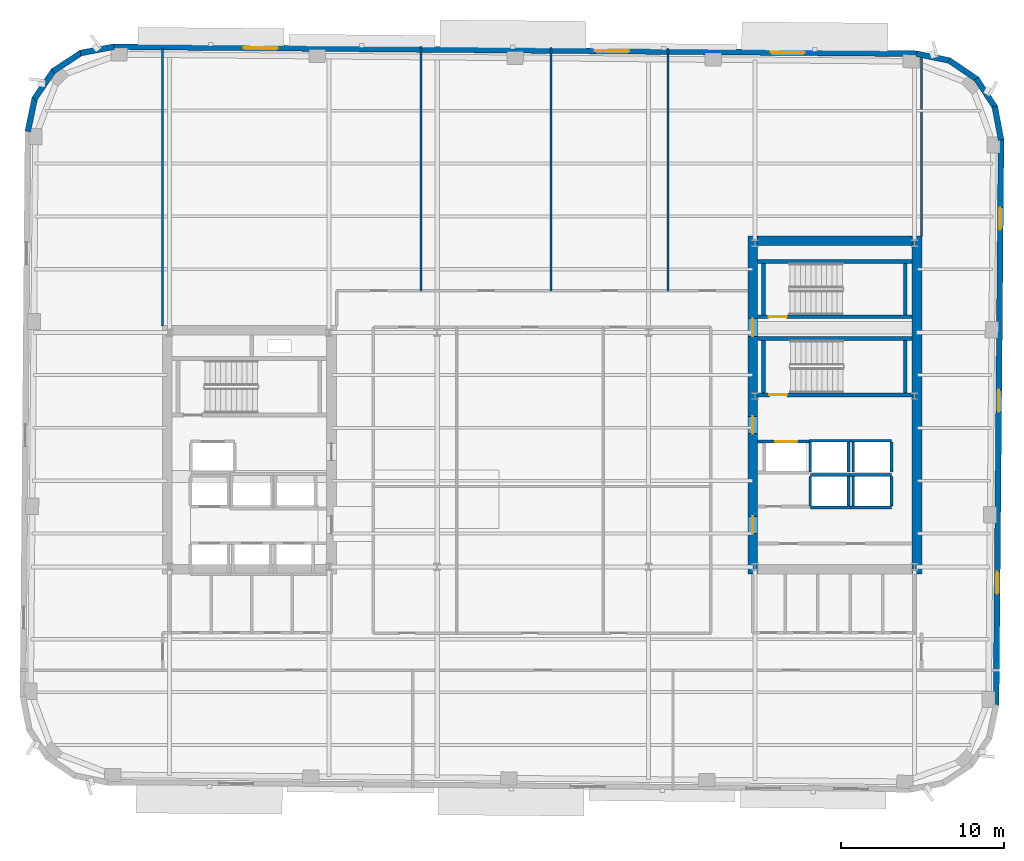
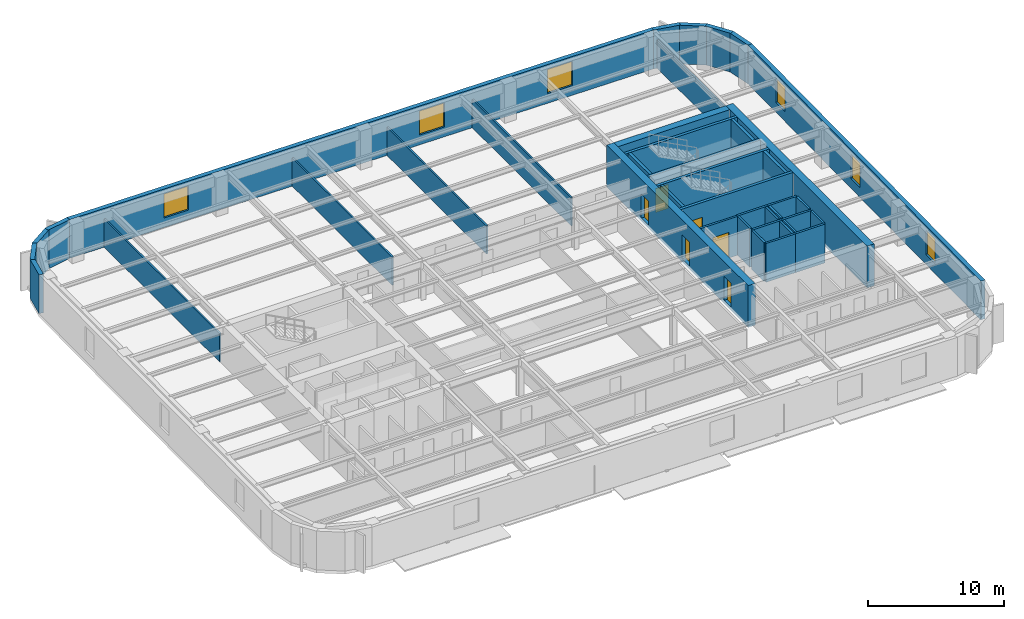
# One storey, part 6 of 12: 41 walls, 6 doors, 6 windows, 12 openings.
"""IFC4 building model written with IfcOpenShell, lengths in metres."""

from ifc_helpers import new_model, si_unit, direction, frame, frame_2d, origin, place, context, subcontext, project, spatial, rectangle, extrude, material, layer, layer_set, type_object, element, fill, save


model = new_model("IFC4")

# Units and contexts
model_context = context("Model", 3, precision=1e-05, world=origin(), true_north=direction((0.0, 1.0)))
body_context = subcontext(model_context, "Body", "Model", "MODEL_VIEW")
ifc_project = project(units=[si_unit("LENGTHUNIT", "METRE"), si_unit("AREAUNIT", "SQUARE_METRE"), si_unit("VOLUMEUNIT", "CUBIC_METRE"), si_unit("PLANEANGLEUNIT", "RADIAN"), si_unit("MASSUNIT", "GRAM", prefix="KILO")], contexts=[model_context])

# Site, building, storey
site_placement = place(None, origin())
site = spatial("IfcSite", under=ifc_project, at=site_placement, CompositionType="ELEMENT")
building_placement = place(site_placement, origin())
building = spatial("IfcBuilding", under=site, at=building_placement, Name="Kolvaren Arena Tower", CompositionType="ELEMENT")
storey_placement = place(building_placement, frame((0.0, 0.0, 188.449951171875)))
storey = spatial("IfcBuildingStorey", under=building, at=storey_placement, Name="L45", CompositionType="ELEMENT", Elevation=188.449951171875)

# Wall, openings, doors
ifc_material_1 = material(Name="Concrete 60 MPa", Category="concrete")
ifc_layer_1 = layer(ifc_material_1, 0.60009765625)
ifc_layer_set_1 = layer_set([ifc_layer_1], Name="Concrete 60 MPa")
wall_type_1 = type_object("IfcWallType", Name="CWALL-600", PredefinedType="SHEAR", material=ifc_layer_set_1)
wall_1_placement = place(storey_placement, frame((50.39990234375, 19.0, -0.27001953125), z_axis=(0.0, 0.0, 1.0), x_axis=(0.0, 1.0, 0.0)))
wall_1 = element("IfcWall", 1, at=wall_1_placement, inside=storey, type_object=wall_type_1, Name="Core Shear Wall EC-WEST (L45)", PredefinedType="SHEAR", context=body_context, shape_type="SweptSolid", body=[
    extrude(rectangle(XDim=20.800048828125, YDim=0.60009765625, at=frame_2d((10.39990234375, 0.0))), origin(), (0.0, 0.0, 1.0), 3.75),
])
opening_1_placement = place(wall_1_placement, frame((2.5, 0.0, 0.27001953125)))
opening_1 = element("IfcOpeningElement", 2, at=opening_1_placement, cuts=wall_1, Name="Opening D04", PredefinedType="OPENING", context=body_context, shape_type="SweptSolid", body=[
    extrude(rectangle(XDim=1.050048828125, YDim=2.14990234375, at=frame_2d((0.52490234375, 1.074951171875))), frame((0.0, 0.31005859375, 0.0), z_axis=(0.0, -1.0, 0.0), x_axis=(1.0, 0.0, 0.0)), (0.0, 0.0, 1.0), 0.6201171875),
])
opening_2_placement = place(wall_1_placement, frame((8.64990234375, 0.0, 0.27001953125)))
opening_2 = element("IfcOpeningElement", 3, at=opening_2_placement, cuts=wall_1, Name="Opening D04", PredefinedType="OPENING", context=body_context, shape_type="SweptSolid", body=[
    extrude(rectangle(XDim=1.050048828125, YDim=2.14990234375, at=frame_2d((0.52490234375, 1.074951171875))), frame((0.0, 0.31005859375, 0.0), z_axis=(0.0, -1.0, 0.0), x_axis=(1.0, 0.0, 0.0)), (0.0, 0.0, 1.0), 0.6201171875),
])
opening_3_placement = place(wall_1_placement, frame((14.6201171875, 0.0, 0.27001953125)))
opening_3 = element("IfcOpeningElement", 4, at=opening_3_placement, cuts=wall_1, Name="Opening D03", PredefinedType="OPENING", context=body_context, shape_type="SweptSolid", body=[
    extrude(rectangle(XDim=1.10009765625, YDim=2.14990234375, at=frame_2d((0.550048828125, 1.074951171875))), frame((0.0, 0.31005859375, 0.0), z_axis=(0.0, -1.0, 0.0), x_axis=(1.0, 0.0, 0.0)), (0.0, 0.0, 1.0), 0.6201171875),
])
ifc_material_2 = material(Name="Fire-rated steel lobby door", Category="steel")
door_type_1 = type_object("IfcDoorType", Name="DOOR-FF-105", OperationType="NOTDEFINED", PredefinedType="DOOR", material=ifc_material_2)
door_1_placement = place(opening_1_placement, origin())
door_1 = element("IfcDoor", 5, at=door_1_placement, inside=storey, type_object=door_type_1, Name="East Lift Lobby Fire Door (L45)", OperationType="SINGLE_SWING_RIGHT", OverallHeight=2.14990234375, OverallWidth=1.050048828125, PredefinedType="DOOR", context=body_context, shape_type="SweptSolid", body=[
    extrude(rectangle(XDim=1.050048828125, YDim=2.14990234375, at=frame_2d((0.52490234375, 1.074951171875))), frame((0.0, 0.02490234375, 0.0), z_axis=(0.0, -1.0, 0.0), x_axis=(1.0, 0.0, 0.0)), (0.0, 0.0, 1.0), 0.050048828125),
])
fill(opening_1, door_1)
door_2_placement = place(opening_2_placement, origin())
door_2 = element("IfcDoor", 6, at=door_2_placement, inside=storey, type_object=door_type_1, Name="East Firefighter Vestibule Door (L45)", OperationType="SINGLE_SWING_LEFT", OverallHeight=2.14990234375, OverallWidth=1.050048828125, PredefinedType="DOOR", context=body_context, shape_type="SweptSolid", body=[
    extrude(rectangle(XDim=1.050048828125, YDim=2.14990234375, at=frame_2d((0.52490234375, 1.074951171875))), frame((0.0, 0.02490234375, 0.0), z_axis=(0.0, -1.0, 0.0), x_axis=(1.0, 0.0, 0.0)), (0.0, 0.0, 1.0), 0.050048828125),
])
fill(opening_2, door_2)
ifc_material_3 = material(Name="Fire-rated steel exit stair door", Category="steel")
door_type_2 = type_object("IfcDoorType", Name="DOOR-ST-110", OperationType="NOTDEFINED", PredefinedType="DOOR", material=ifc_material_3)
door_3_placement = place(opening_3_placement, origin())
door_3 = element("IfcDoor", 7, at=door_3_placement, inside=storey, type_object=door_type_2, Name="Stair ST-E2 Vestibule Fire Door (L45)", OperationType="SINGLE_SWING_LEFT", OverallHeight=2.14990234375, OverallWidth=1.10009765625, PredefinedType="DOOR", context=body_context, shape_type="SweptSolid", body=[
    extrude(rectangle(XDim=1.10009765625, YDim=2.14990234375, at=frame_2d((0.550048828125, 1.074951171875))), frame((0.0, 0.02490234375, 0.0), z_axis=(0.0, -1.0, 0.0), x_axis=(1.0, 0.0, 0.0)), (0.0, 0.0, 1.0), 0.050048828125),
])
fill(opening_3, door_3)

# Walls
wall_2_placement = place(storey_placement, frame((60.5, 19.0, -0.27001953125), z_axis=(0.0, 0.0, 1.0), x_axis=(0.0, 1.0, 0.0)))
element("IfcWall", 8, at=wall_2_placement, inside=storey, type_object=wall_type_1, Name="Core Shear Wall EC-EAST (L45)", PredefinedType="SHEAR", context=body_context, shape_type="SweptSolid", body=[
    extrude(rectangle(XDim=20.800048828125, YDim=0.60009765625, at=frame_2d((10.39990234375, 0.0))), origin(), (0.0, 0.0, 1.0), 3.75),
])
wall_3_placement = place(storey_placement, frame((50.699951171875, 39.5, -0.27001953125), z_axis=(0.0, 0.0, 1.0), x_axis=(1.0, 0.0, 0.0)))
element("IfcWall", 9, at=wall_3_placement, inside=storey, type_object=wall_type_1, Name="Core Shear Wall EC-NORTH (L45)", PredefinedType="SHEAR", context=body_context, shape_type="SweptSolid", body=[
    extrude(rectangle(XDim=9.5, YDim=0.60009765625, at=frame_2d((4.75, 0.0))), origin(), (0.0, 0.0, 1.0), 3.75),
])

# Wall, openings, windows
ifc_material_4 = material(Name="Precast concrete C50/60", Category="concrete")
ifc_layer_2 = layer(ifc_material_4, 0.360107421875)
ifc_layer_set_2 = layer_set([ifc_layer_2], Name="Precast concrete C50/60")
wall_type_2 = type_object("IfcWallType", Name="EXT-PIER2", PredefinedType="SOLIDWALL", material=ifc_layer_set_2)
wall_4_placement = place(storey_placement, frame((65.670654296875, 45.73828125, 0.0), z_axis=(0.0, 0.0, 1.0), x_axis=(-0.008727348535, -0.999961915969, 0.0)))
wall_4 = element("IfcWall", 10, at=wall_4_placement, inside=storey, type_object=wall_type_2, Name="Exterior Precast Masonry-Frame Wall (L45)", PredefinedType="SOLIDWALL", context=body_context, shape_type="SweptSolid", body=[
    extrude(rectangle(XDim=34.7998046875, YDim=0.360107421875, at=frame_2d((17.39990234375, 0.0))), origin(), (0.0, 0.0, 1.0), 3.47998046875),
])
opening_4_placement = place(wall_4_placement, frame((4.199951171875, 0.0, 0.8798828125)))
opening_4 = element("IfcOpeningElement", 11, at=opening_4_placement, cuts=wall_4, Name="Opening W04", PredefinedType="OPENING", context=body_context, shape_type="SweptSolid", body=[
    extrude(rectangle(XDim=1.35009765625, YDim=2.199951171875, at=frame_2d((0.675048828125, 1.10009765625))), frame((0.0, 0.18994140625, 0.0), z_axis=(0.0, -1.0, 0.0), x_axis=(1.0, 0.0, 0.0)), (0.0, 0.0, 1.0), 0.380126953125),
])
opening_5_placement = place(wall_4_placement, frame((15.39990234375, 0.0, 0.8798828125)))
opening_5 = element("IfcOpeningElement", 12, at=opening_5_placement, cuts=wall_4, Name="Opening W04", PredefinedType="OPENING", context=body_context, shape_type="SweptSolid", body=[
    extrude(rectangle(XDim=1.35009765625, YDim=2.199951171875, at=frame_2d((0.675048828125, 1.10009765625))), frame((0.0, 0.18994140625, 0.0), z_axis=(0.0, -1.0, 0.0), x_axis=(1.0, 0.0, 0.0)), (0.0, 0.0, 1.0), 0.380126953125),
])
opening_6_placement = place(wall_4_placement, frame((26.60009765625, 0.0, 0.8798828125)))
opening_6 = element("IfcOpeningElement", 13, at=opening_6_placement, cuts=wall_4, Name="Opening W04", PredefinedType="OPENING", context=body_context, shape_type="SweptSolid", body=[
    extrude(rectangle(XDim=1.35009765625, YDim=2.199951171875, at=frame_2d((0.675048828125, 1.10009765625))), frame((0.0, 0.18994140625, 0.0), z_axis=(0.0, -1.0, 0.0), x_axis=(1.0, 0.0, 0.0)), (0.0, 0.0, 1.0), 0.380126953125),
])
ifc_material_5 = material(Name="Triple-glazed curved-facet corner window", Category="glass")
window_type_1 = type_object("IfcWindowType", Name="WIN-CRN-A", PartitioningType="SINGLE_PANEL", PredefinedType="WINDOW", material=ifc_material_5)
window_1_placement = place(opening_4_placement, origin())
window_1 = element("IfcWindow", 14, at=window_1_placement, inside=storey, type_object=window_type_1, Name="End-Wall Punched Window (L45)", OverallHeight=2.199951171875, OverallWidth=1.35009765625, PartitioningType="SINGLE_PANEL", PredefinedType="WINDOW", context=body_context, shape_type="SweptSolid", body=[
    extrude(rectangle(XDim=1.35009765625, YDim=2.199951171875, at=frame_2d((0.675048828125, 1.10009765625))), frame((0.0, 0.030029296875, 0.0), z_axis=(0.0, -1.0, 0.0), x_axis=(1.0, 0.0, 0.0)), (0.0, 0.0, 1.0), 0.06005859375),
])
fill(opening_4, window_1)
window_2_placement = place(opening_5_placement, origin())
window_2 = element("IfcWindow", 15, at=window_2_placement, inside=storey, type_object=window_type_1, Name="End-Wall Punched Window (L45)", OverallHeight=2.199951171875, OverallWidth=1.35009765625, PartitioningType="SINGLE_PANEL", PredefinedType="WINDOW", context=body_context, shape_type="SweptSolid", body=[
    extrude(rectangle(XDim=1.35009765625, YDim=2.199951171875, at=frame_2d((0.675048828125, 1.10009765625))), frame((0.0, 0.030029296875, 0.0), z_axis=(0.0, -1.0, 0.0), x_axis=(1.0, 0.0, 0.0)), (0.0, 0.0, 1.0), 0.06005859375),
])
fill(opening_5, window_2)
window_3_placement = place(opening_6_placement, origin())
window_3 = element("IfcWindow", 16, at=window_3_placement, inside=storey, type_object=window_type_1, Name="End-Wall Punched Window (L45)", OverallHeight=2.199951171875, OverallWidth=1.35009765625, PartitioningType="SINGLE_PANEL", PredefinedType="WINDOW", context=body_context, shape_type="SweptSolid", body=[
    extrude(rectangle(XDim=1.35009765625, YDim=2.199951171875, at=frame_2d((0.675048828125, 1.10009765625))), frame((0.0, 0.030029296875, 0.0), z_axis=(0.0, -1.0, 0.0), x_axis=(1.0, 0.0, 0.0)), (0.0, 0.0, 1.0), 0.06005859375),
])
fill(opening_6, window_3)

# Walls
wall_5_placement = place(storey_placement, frame((65.281005859375, 47.773193359375, 0.0), z_axis=(0.0, 0.0, 1.0), x_axis=(0.186435855703, -0.98246713518, 0.0)))
element("IfcWall", 17, at=wall_5_placement, inside=storey, type_object=wall_type_2, Name="Exterior Precast Masonry-Frame Wall (L45)", PredefinedType="SOLIDWALL", context=body_context, shape_type="SweptSolid", body=[
    extrude(rectangle(XDim=2.10693359375, YDim=0.360107421875, at=frame_2d((1.053466796875, 0.0))), origin(), (0.0, 0.0, 1.0), 3.47998046875),
])
wall_6_placement = place(storey_placement, frame((64.152099609375, 49.469970703125, 0.0), z_axis=(0.0, 0.0, 1.0), x_axis=(0.548238722478, -0.83632188969, 0.0)))
element("IfcWall", 18, at=wall_6_placement, inside=storey, type_object=wall_type_2, Name="Exterior Precast Masonry-Frame Wall (L45)", PredefinedType="SOLIDWALL", context=body_context, shape_type="SweptSolid", body=[
    extrude(rectangle(XDim=2.106689453125, YDim=0.360107421875, at=frame_2d((1.05322265625, 0.0))), origin(), (0.0, 0.0, 1.0), 3.47998046875),
])
wall_7_placement = place(storey_placement, frame((62.45947265625, 50.605712890625, 0.0), z_axis=(0.0, 0.0, 1.0), x_axis=(0.826609569219, -0.56277581689, 0.0)))
element("IfcWall", 19, at=wall_7_placement, inside=storey, type_object=wall_type_2, Name="Exterior Precast Masonry-Frame Wall (L45)", PredefinedType="SOLIDWALL", context=body_context, shape_type="SweptSolid", body=[
    extrude(rectangle(XDim=2.10693359375, YDim=0.360107421875, at=frame_2d((1.053466796875, 0.0))), origin(), (0.0, 0.0, 1.0), 3.47998046875),
])
wall_8_placement = place(storey_placement, frame((60.461181640625, 51.00732421875, 0.0), z_axis=(0.0, 0.0, 1.0), x_axis=(0.979059388908, -0.203574833883, 0.0)))
element("IfcWall", 20, at=wall_8_placement, inside=storey, type_object=wall_type_2, Name="Exterior Precast Masonry-Frame Wall (L45)", PredefinedType="SOLIDWALL", context=body_context, shape_type="SweptSolid", body=[
    extrude(rectangle(XDim=2.107177734375, YDim=0.360107421875, at=frame_2d((1.0537109375, 0.0))), origin(), (0.0, 0.0, 1.0), 3.47998046875),
])

# Wall, openings, windows
wall_9_placement = place(storey_placement, frame((11.098388671875, 51.434814453125, 0.0), z_axis=(0.0, 0.0, 1.0), x_axis=(0.99996191194, -0.008727810138, 0.0)))
wall_9 = element("IfcWall", 21, at=wall_9_placement, inside=storey, type_object=wall_type_2, Name="Exterior Precast Masonry-Frame Wall (L45)", PredefinedType="SOLIDWALL", context=body_context, shape_type="SweptSolid", body=[
    extrude(rectangle(XDim=49.39990234375, YDim=0.360107421875, at=frame_2d((24.699951171875, 0.0))), origin(), (0.0, 0.0, 1.0), 3.47998046875),
])
opening_7_placement = place(wall_9_placement, frame((8.0, 0.0, 0.8798828125)))
opening_7 = element("IfcOpeningElement", 22, at=opening_7_placement, cuts=wall_9, Name="Opening W01", PredefinedType="OPENING", context=body_context, shape_type="SweptSolid", body=[
    extrude(rectangle(XDim=2.10009765625, YDim=2.14990234375, at=frame_2d((1.050048828125, 1.074951171875))), frame((0.0, 0.18994140625, 0.0), z_axis=(0.0, -1.0, 0.0), x_axis=(1.0, 0.0, 0.0)), (0.0, 0.0, 1.0), 0.380126953125),
])
opening_8_placement = place(wall_9_placement, frame((29.60009765625, 0.0, 0.8798828125)))
opening_8 = element("IfcOpeningElement", 23, at=opening_8_placement, cuts=wall_9, Name="Opening W01", PredefinedType="OPENING", context=body_context, shape_type="SweptSolid", body=[
    extrude(rectangle(XDim=2.10009765625, YDim=2.14990234375, at=frame_2d((1.050048828125, 1.074951171875))), frame((0.0, 0.18994140625, 0.0), z_axis=(0.0, -1.0, 0.0), x_axis=(1.0, 0.0, 0.0)), (0.0, 0.0, 1.0), 0.380126953125),
])
opening_9_placement = place(wall_9_placement, frame((40.39990234375, 0.0, 0.8798828125)))
opening_9 = element("IfcOpeningElement", 24, at=opening_9_placement, cuts=wall_9, Name="Opening W01", PredefinedType="OPENING", context=body_context, shape_type="SweptSolid", body=[
    extrude(rectangle(XDim=2.10009765625, YDim=2.14990234375, at=frame_2d((1.050048828125, 1.074951171875))), frame((0.0, 0.18994140625, 0.0), z_axis=(0.0, -1.0, 0.0), x_axis=(1.0, 0.0, 0.0)), (0.0, 0.0, 1.0), 0.380126953125),
])
ifc_material_6 = material(Name="Triple-glazed low-E aluminium window", Category="aluminium")
window_type_2 = type_object("IfcWindowType", Name="WIN-OFF-A", PartitioningType="DOUBLE_PANEL_VERTICAL", PredefinedType="WINDOW", material=ifc_material_6)
window_4_placement = place(opening_7_placement, origin())
window_4 = element("IfcWindow", 25, at=window_4_placement, inside=storey, type_object=window_type_2, Name="Punched Precast-Pier Window (L45)", OverallHeight=2.14990234375, OverallWidth=2.10009765625, PartitioningType="DOUBLE_PANEL_VERTICAL", PredefinedType="WINDOW", context=body_context, shape_type="SweptSolid", body=[
    extrude(rectangle(XDim=2.10009765625, YDim=2.14990234375, at=frame_2d((1.050048828125, 1.074951171875))), frame((0.0, 0.030029296875, 0.0), z_axis=(0.0, -1.0, 0.0), x_axis=(1.0, 0.0, 0.0)), (0.0, 0.0, 1.0), 0.06005859375),
])
fill(opening_7, window_4)
window_5_placement = place(opening_8_placement, origin())
window_5 = element("IfcWindow", 26, at=window_5_placement, inside=storey, type_object=window_type_2, Name="Punched Precast-Pier Window (L45)", OverallHeight=2.14990234375, OverallWidth=2.10009765625, PartitioningType="DOUBLE_PANEL_VERTICAL", PredefinedType="WINDOW", context=body_context, shape_type="SweptSolid", body=[
    extrude(rectangle(XDim=2.10009765625, YDim=2.14990234375, at=frame_2d((1.050048828125, 1.074951171875))), frame((0.0, 0.030029296875, 0.0), z_axis=(0.0, -1.0, 0.0), x_axis=(1.0, 0.0, 0.0)), (0.0, 0.0, 1.0), 0.06005859375),
])
fill(opening_8, window_5)
window_6_placement = place(opening_9_placement, origin())
window_6 = element("IfcWindow", 27, at=window_6_placement, inside=storey, type_object=window_type_2, Name="Punched Precast-Pier Window (L45)", OverallHeight=2.14990234375, OverallWidth=2.10009765625, PartitioningType="DOUBLE_PANEL_VERTICAL", PredefinedType="WINDOW", context=body_context, shape_type="SweptSolid", body=[
    extrude(rectangle(XDim=2.10009765625, YDim=2.14990234375, at=frame_2d((1.050048828125, 1.074951171875))), frame((0.0, 0.030029296875, 0.0), z_axis=(0.0, -1.0, 0.0), x_axis=(1.0, 0.0, 0.0)), (0.0, 0.0, 1.0), 0.06005859375),
])
fill(opening_9, window_6)

# Walls
wall_10_placement = place(storey_placement, frame((9.0634765625, 51.044921875, 0.0), z_axis=(0.0, 0.0, 1.0), x_axis=(0.982445905584, 0.186547695246, 0.0)))
element("IfcWall", 28, at=wall_10_placement, inside=storey, type_object=wall_type_2, Name="Exterior Precast Masonry-Frame Wall (L45)", PredefinedType="SOLIDWALL", context=body_context, shape_type="SweptSolid", body=[
    extrude(rectangle(XDim=2.107177734375, YDim=0.360107421875, at=frame_2d((1.0537109375, 0.0))), origin(), (0.0, 0.0, 1.0), 3.47998046875),
])
for number, where, z_axis, x_axis, name in (
    (29, (7.36669921875, 49.916015625, 0.0), (0.0, 0.0, 1.0), (0.836268756678, 0.548319766745, 0.0), "Exterior Precast Masonry-Frame Wall (L45)"),
    (30, (6.23095703125, 48.223388671875, 0.0), (0.0, 0.0, 1.0), (0.56277581689, 0.826609569219, 0.0), "Exterior Precast Masonry-Frame Wall (L45)"),
    (31, (5.8291015625, 46.225341796875, 0.0), (0.0, 0.0, 1.0), (0.203709000552, 0.979031482177, 0.0), "Exterior Precast Masonry-Frame Wall (L45)"),
):
    element("IfcWall", number, at=place(storey_placement, frame(where, z_axis=z_axis, x_axis=x_axis)), inside=storey, type_object=wall_type_2, Name=name, PredefinedType="SOLIDWALL", context=body_context, shape_type="SweptSolid", body=[
        extrude(rectangle(XDim=2.10693359375, YDim=0.360107421875, at=frame_2d((1.053466796875, 0.0))), origin(), (0.0, 0.0, 1.0), 3.47998046875),
    ])
ifc_material_7 = material(Name="Gypsum board partition assembly", Category="gypsum")
ifc_layer_3 = layer(ifc_material_7, 0.135009765625)
ifc_layer_set_3 = layer_set([ifc_layer_3], Name="Gypsum board partition assembly")
wall_type_3 = type_object("IfcWallType", Name="PART-135", PredefinedType="PARTITIONING", material=ifc_layer_set_3)
wall_11_placement = place(storey_placement, frame((30.0, 36.419921875, 0.0), z_axis=(0.0, 0.0, 1.0), x_axis=(0.0, 1.0, 0.0)))
element("IfcWall", 32, at=wall_11_placement, inside=storey, type_object=wall_type_3, Name="Interior Partition Wall (L45)", PredefinedType="PARTITIONING", context=body_context, shape_type="SweptSolid", body=[
    extrude(rectangle(XDim=15.02978515625, YDim=0.135009765625, at=frame_2d((7.514892578125, 0.0))), origin(), (0.0, 0.0, 1.0), 2.5400390625),
])
wall_12_placement = place(storey_placement, frame((38.0, 36.419921875, 0.0), z_axis=(0.0, 0.0, 1.0), x_axis=(0.0, 1.0, 0.0)))
element("IfcWall", 33, at=wall_12_placement, inside=storey, type_object=wall_type_3, Name="Interior Partition Wall (L45)", PredefinedType="PARTITIONING", context=body_context, shape_type="SweptSolid", body=[
    extrude(rectangle(XDim=14.9599609375, YDim=0.135009765625, at=frame_2d((7.47998046875, 0.0))), origin(), (0.0, 0.0, 1.0), 2.5400390625),
])
wall_13_placement = place(storey_placement, frame((45.199951171875, 36.419921875, 0.0), z_axis=(0.0, 0.0, 1.0), x_axis=(0.0, 1.0, 0.0)))
element("IfcWall", 34, at=wall_13_placement, inside=storey, type_object=wall_type_3, Name="Interior Partition Wall (L45)", PredefinedType="PARTITIONING", context=body_context, shape_type="SweptSolid", body=[
    extrude(rectangle(XDim=14.897216796875, YDim=0.135009765625, at=frame_2d((7.44873046875, 0.0))), origin(), (0.0, 0.0, 1.0), 2.5400390625),
])
wall_14_placement = place(storey_placement, frame((14.1201171875, 34.25, 0.0), z_axis=(0.0, 0.0, 1.0), x_axis=(0.0, 1.0, 0.0)))
element("IfcWall", 35, at=wall_14_placement, inside=storey, type_object=wall_type_3, Name="Interior Partition Wall (L45)", PredefinedType="PARTITIONING", context=body_context, shape_type="SweptSolid", body=[
    extrude(rectangle(XDim=17.098388671875, YDim=0.135009765625, at=frame_2d((8.54931640625, 0.0))), origin(), (0.0, 0.0, 1.0), 2.5400390625),
])
wall_15_placement = place(storey_placement, frame((60.780029296875, 39.75, 0.0), z_axis=(0.0, 0.0, 1.0), x_axis=(0.0, 1.0, 0.0)))
element("IfcWall", 36, at=wall_15_placement, inside=storey, type_object=wall_type_3, Name="Interior Partition Wall (L45)", PredefinedType="PARTITIONING", context=body_context, shape_type="SweptSolid", body=[
    extrude(rectangle(XDim=11.1298828125, YDim=0.135009765625, at=frame_2d((5.56494140625, 0.0))), origin(), (0.0, 0.0, 1.0), 2.5400390625),
])

# Wall, opening, door
ifc_material_8 = material(Name="Concrete 45 MPa", Category="concrete")
ifc_layer_4 = layer(ifc_material_8, 0.25)
ifc_layer_set_4 = layer_set([ifc_layer_4], Name="Concrete 45 MPa")
wall_type_4 = type_object("IfcWallType", Name="SHAFT-250", PredefinedType="SOLIDWALL", material=ifc_layer_set_4)
wall_16_placement = place(storey_placement, frame((60.199951171875, 30.030029296875, 0.0), z_axis=(0.0, 0.0, 1.0), x_axis=(-1.0, 0.0, 0.0)))
wall_16 = element("IfcWall", 37, at=wall_16_placement, inside=storey, type_object=wall_type_4, Name="Core Shaft Wall (L45)", PredefinedType="SOLIDWALL", context=body_context, shape_type="SweptSolid", body=[
    extrude(rectangle(XDim=9.5, YDim=0.239990234375, at=frame_2d((4.75, 0.0))), origin(), (0.0, 0.0, 1.0), 3.47998046875),
])
opening_10_placement = place(wall_16_placement, frame((7.679931640625, 0.0, 0.0)))
opening_10 = element("IfcOpeningElement", 38, at=opening_10_placement, cuts=wall_16, Name="Opening D03", PredefinedType="OPENING", context=body_context, shape_type="SweptSolid", body=[
    extrude(rectangle(XDim=1.10009765625, YDim=2.14990234375, at=frame_2d((0.550048828125, 1.074951171875))), frame((0.0, 0.1298828125, 0.0), z_axis=(0.0, -1.0, 0.0), x_axis=(1.0, 0.0, 0.0)), (0.0, 0.0, 1.0), 0.260009765625),
])
door_4_placement = place(opening_10_placement, origin())
door_4 = element("IfcDoor", 39, at=door_4_placement, inside=storey, type_object=door_type_2, Name="Stair ST-E1 Fire Door (L45)", OperationType="SINGLE_SWING_LEFT", OverallHeight=2.14990234375, OverallWidth=1.10009765625, PredefinedType="DOOR", context=body_context, shape_type="SweptSolid", body=[
    extrude(rectangle(XDim=1.10009765625, YDim=2.14990234375, at=frame_2d((0.550048828125, 1.074951171875))), frame((0.0, 0.02490234375, 0.0), z_axis=(0.0, -1.0, 0.0), x_axis=(1.0, 0.0, 0.0)), (0.0, 0.0, 1.0), 0.050048828125),
])
fill(opening_10, door_4)

# Walls
wall_17_placement = place(storey_placement, frame((50.699951171875, 33.5, 0.0), z_axis=(0.0, 0.0, 1.0), x_axis=(1.0, 0.0, 0.0)))
element("IfcWall", 40, at=wall_17_placement, inside=storey, type_object=wall_type_4, Name="Core Shaft Wall (L45)", PredefinedType="SOLIDWALL", context=body_context, shape_type="SweptSolid", body=[
    extrude(rectangle(XDim=9.5, YDim=0.239990234375, at=frame_2d((4.75, 0.0))), origin(), (0.0, 0.0, 1.0), 3.47998046875),
])
for number, where, z_axis, x_axis, name in (
    (41, (51.06005859375, 30.14990234375, 0.0), (0.0, 0.0, 1.0), (0.0, 1.0, 0.0), "Core Shaft Wall (L45)"),
    (42, (59.780029296875, 30.14990234375, 0.0), (0.0, 0.0, 1.0), (0.0, 1.0, 0.0), "Core Shaft Wall (L45)"),
):
    element("IfcWall", number, at=place(storey_placement, frame(where, z_axis=z_axis, x_axis=x_axis)), inside=storey, type_object=wall_type_4, Name=name, PredefinedType="SOLIDWALL", context=body_context, shape_type="SweptSolid", body=[
        extrude(rectangle(XDim=3.22998046875, YDim=0.239990234375, at=frame_2d((1.614990234375, 0.0))), origin(), (0.0, 0.0, 1.0), 3.47998046875),
    ])

# Wall, opening, door
wall_18_placement = place(storey_placement, frame((60.199951171875, 34.830078125, 0.0), z_axis=(0.0, 0.0, 1.0), x_axis=(-1.0, 0.0, 0.0)))
wall_18 = element("IfcWall", 43, at=wall_18_placement, inside=storey, type_object=wall_type_4, Name="Core Shaft Wall (L45)", PredefinedType="SOLIDWALL", context=body_context, shape_type="SweptSolid", body=[
    extrude(rectangle(XDim=9.5, YDim=0.239990234375, at=frame_2d((4.75, 0.0))), origin(), (0.0, 0.0, 1.0), 3.47998046875),
])
opening_11_placement = place(wall_18_placement, frame((7.719970703125, 0.0, 0.0)))
opening_11 = element("IfcOpeningElement", 44, at=opening_11_placement, cuts=wall_18, Name="Opening D03", PredefinedType="OPENING", context=body_context, shape_type="SweptSolid", body=[
    extrude(rectangle(XDim=1.10009765625, YDim=2.14990234375, at=frame_2d((0.550048828125, 1.074951171875))), frame((0.0, 0.1298828125, 0.0), z_axis=(0.0, -1.0, 0.0), x_axis=(1.0, 0.0, 0.0)), (0.0, 0.0, 1.0), 0.260009765625),
])
door_5_placement = place(opening_11_placement, origin())
door_5 = element("IfcDoor", 45, at=door_5_placement, inside=storey, type_object=door_type_2, Name="Stair ST-E2 Fire Door (L45)", OperationType="SINGLE_SWING_LEFT", OverallHeight=2.14990234375, OverallWidth=1.10009765625, PredefinedType="DOOR", context=body_context, shape_type="SweptSolid", body=[
    extrude(rectangle(XDim=1.10009765625, YDim=2.14990234375, at=frame_2d((0.550048828125, 1.074951171875))), frame((0.0, 0.02490234375, 0.0), z_axis=(0.0, -1.0, 0.0), x_axis=(1.0, 0.0, 0.0)), (0.0, 0.0, 1.0), 0.050048828125),
])
fill(opening_11, door_5)

# Walls
wall_19_placement = place(storey_placement, frame((50.699951171875, 38.219970703125, 0.0), z_axis=(0.0, 0.0, 1.0), x_axis=(1.0, 0.0, 0.0)))
element("IfcWall", 46, at=wall_19_placement, inside=storey, type_object=wall_type_4, Name="Core Shaft Wall (L45)", PredefinedType="SOLIDWALL", context=body_context, shape_type="SweptSolid", body=[
    extrude(rectangle(XDim=9.5, YDim=0.239990234375, at=frame_2d((4.75, 0.0))), origin(), (0.0, 0.0, 1.0), 3.47998046875),
])
for number, where, z_axis, x_axis, name in (
    (47, (51.06005859375, 34.949951171875, 0.0), (0.0, 0.0, 1.0), (0.0, 1.0, 0.0), "Core Shaft Wall (L45)"),
    (48, (59.780029296875, 34.949951171875, 0.0), (0.0, 0.0, 1.0), (0.0, 1.0, 0.0), "Core Shaft Wall (L45)"),
):
    element("IfcWall", number, at=place(storey_placement, frame(where, z_axis=z_axis, x_axis=x_axis)), inside=storey, type_object=wall_type_4, Name=name, PredefinedType="SOLIDWALL", context=body_context, shape_type="SweptSolid", body=[
        extrude(rectangle(XDim=3.150146484375, YDim=0.239990234375, at=frame_2d((1.5751953125, 0.0))), origin(), (0.0, 0.0, 1.0), 3.47998046875),
    ])
for number, where, z_axis, x_axis, name in (
    (49, (53.93994140625, 25.10498046875, 0.0), (0.0, 0.0, 1.0), (1.0, 0.0, 0.0), "Core Shaft Wall (L45)"),
    (50, (53.93994140625, 23.094970703125, 0.0), (0.0, 0.0, 1.0), (1.0, 0.0, 0.0), "Core Shaft Wall (L45)"),
):
    element("IfcWall", number, at=place(storey_placement, frame(where, z_axis=z_axis, x_axis=x_axis)), inside=storey, type_object=wall_type_4, Name=name, PredefinedType="SOLIDWALL", context=body_context, shape_type="SweptSolid", body=[
        extrude(rectangle(XDim=2.5, YDim=0.179931640625, at=frame_2d((1.25, 0.0))), origin(), (0.0, 0.0, 1.0), 3.47998046875),
    ])
for number, where, z_axis, x_axis, name in (
    (51, (53.93994140625, 23.18505859375, 0.0), (0.0, 0.0, 1.0), (0.0, 1.0, 0.0), "Core Shaft Wall (L45)"),
    (52, (56.300048828125, 23.18505859375, 0.0), (0.0, 0.0, 1.0), (0.0, 1.0, 0.0), "Core Shaft Wall (L45)"),
):
    element("IfcWall", number, at=place(storey_placement, frame(where, z_axis=z_axis, x_axis=x_axis)), inside=storey, type_object=wall_type_4, Name=name, PredefinedType="SOLIDWALL", context=body_context, shape_type="SweptSolid", body=[
        extrude(rectangle(XDim=1.829833984375, YDim=0.179931640625, at=frame_2d((0.9150390625, 0.0))), origin(), (0.0, 0.0, 1.0), 3.47998046875),
    ])
for number, where, z_axis, x_axis, name in (
    (53, (56.43994140625, 25.10498046875, 0.0), (0.0, 0.0, 1.0), (1.0, 0.0, 0.0), "Core Shaft Wall (L45)"),
    (54, (56.43994140625, 23.094970703125, 0.0), (0.0, 0.0, 1.0), (1.0, 0.0, 0.0), "Core Shaft Wall (L45)"),
):
    element("IfcWall", number, at=place(storey_placement, frame(where, z_axis=z_axis, x_axis=x_axis)), inside=storey, type_object=wall_type_4, Name=name, PredefinedType="SOLIDWALL", context=body_context, shape_type="SweptSolid", body=[
        extrude(rectangle(XDim=2.5, YDim=0.179931640625, at=frame_2d((1.25, 0.0))), origin(), (0.0, 0.0, 1.0), 3.47998046875),
    ])
for number, where, z_axis, x_axis, name in (
    (55, (56.580078125, 23.18505859375, 0.0), (0.0, 0.0, 1.0), (0.0, 1.0, 0.0), "Core Shaft Wall (L45)"),
    (56, (58.93994140625, 23.18505859375, 0.0), (0.0, 0.0, 1.0), (0.0, 1.0, 0.0), "Core Shaft Wall (L45)"),
):
    element("IfcWall", number, at=place(storey_placement, frame(where, z_axis=z_axis, x_axis=x_axis)), inside=storey, type_object=wall_type_4, Name=name, PredefinedType="SOLIDWALL", context=body_context, shape_type="SweptSolid", body=[
        extrude(rectangle(XDim=1.829833984375, YDim=0.179931640625, at=frame_2d((0.9150390625, 0.0))), origin(), (0.0, 0.0, 1.0), 3.47998046875),
    ])
wall_20_placement = place(storey_placement, frame((53.864990234375, 27.205078125, 0.0), z_axis=(0.0, 0.0, 1.0), x_axis=(1.0, 0.0, 0.0)))
element("IfcWall", 57, at=wall_20_placement, inside=storey, type_object=wall_type_4, Name="Core Shaft Wall (L45)", PredefinedType="SOLIDWALL", context=body_context, shape_type="SweptSolid", body=[
    extrude(rectangle(XDim=2.574951171875, YDim=0.179931640625, at=frame_2d((1.28759765625, 0.0))), origin(), (0.0, 0.0, 1.0), 3.47998046875),
])
for number, where, z_axis, x_axis, name in (
    (58, (53.93994140625, 25.284912109375, 0.0), (0.0, 0.0, 1.0), (0.0, 1.0, 0.0), "Core Shaft Wall (L45)"),
    (59, (56.300048828125, 25.284912109375, 0.0), (0.0, 0.0, 1.0), (0.0, 1.0, 0.0), "Core Shaft Wall (L45)"),
):
    element("IfcWall", number, at=place(storey_placement, frame(where, z_axis=z_axis, x_axis=x_axis)), inside=storey, type_object=wall_type_4, Name=name, PredefinedType="SOLIDWALL", context=body_context, shape_type="SweptSolid", body=[
        extrude(rectangle(XDim=1.830078125, YDim=0.179931640625, at=frame_2d((0.9150390625, 0.0))), origin(), (0.0, 0.0, 1.0), 3.47998046875),
    ])
wall_21_placement = place(storey_placement, frame((56.43994140625, 27.205078125, 0.0), z_axis=(0.0, 0.0, 1.0), x_axis=(1.0, 0.0, 0.0)))
element("IfcWall", 60, at=wall_21_placement, inside=storey, type_object=wall_type_4, Name="Core Shaft Wall (L45)", PredefinedType="SOLIDWALL", context=body_context, shape_type="SweptSolid", body=[
    extrude(rectangle(XDim=2.5, YDim=0.179931640625, at=frame_2d((1.25, 0.0))), origin(), (0.0, 0.0, 1.0), 3.47998046875),
])
for number, where, z_axis, x_axis, name in (
    (61, (56.580078125, 25.284912109375, 0.0), (0.0, 0.0, 1.0), (0.0, 1.0, 0.0), "Core Shaft Wall (L45)"),
    (62, (58.93994140625, 25.284912109375, 0.0), (0.0, 0.0, 1.0), (0.0, 1.0, 0.0), "Core Shaft Wall (L45)"),
):
    element("IfcWall", number, at=place(storey_placement, frame(where, z_axis=z_axis, x_axis=x_axis)), inside=storey, type_object=wall_type_4, Name=name, PredefinedType="SOLIDWALL", context=body_context, shape_type="SweptSolid", body=[
        extrude(rectangle(XDim=1.830078125, YDim=0.179931640625, at=frame_2d((0.9150390625, 0.0))), origin(), (0.0, 0.0, 1.0), 3.47998046875),
    ])

# Wall, opening, door
wall_22_placement = place(storey_placement, frame((50.699951171875, 27.155029296875, 0.0), z_axis=(0.0, 0.0, 1.0), x_axis=(1.0, 0.0, 0.0)))
wall_22 = element("IfcWall", 63, at=wall_22_placement, inside=storey, type_object=wall_type_4, Name="Core Shaft Wall (L45)", PredefinedType="SOLIDWALL", context=body_context, shape_type="SweptSolid", body=[
    extrude(rectangle(XDim=3.1650390625, YDim=0.179931640625, at=frame_2d((1.58251953125, 0.0))), origin(), (0.0, 0.0, 1.0), 3.47998046875),
])
opening_12_placement = place(wall_22_placement, frame((1.0849609375, 0.0, 0.0)))
opening_12 = element("IfcOpeningElement", 64, at=opening_12_placement, cuts=wall_22, Name="Opening LD2", PredefinedType="OPENING", context=body_context, shape_type="SweptSolid", body=[
    extrude(rectangle(XDim=1.35009765625, YDim=2.300048828125, at=frame_2d((0.675048828125, 1.14990234375))), frame((0.0, 0.099853515625, 0.0), z_axis=(0.0, -1.0, 0.0), x_axis=(1.0, 0.0, 0.0)), (0.0, 0.0, 1.0), 0.199951171875),
])
ifc_material_9 = material(Name="Stainless steel firefighter lift landing door", Category="steel")
door_type_3 = type_object("IfcDoorType", Name="DOOR-LD-135", OperationType="DOUBLE_DOOR_SLIDING", PredefinedType="DOOR", material=ifc_material_9)
door_6_placement = place(opening_12_placement, origin())
door_6 = element("IfcDoor", 65, at=door_6_placement, inside=storey, type_object=door_type_3, Name="Firefighter Lift FF-E1 Landing Door (L45)", OperationType="DOUBLE_DOOR_SLIDING", OverallHeight=2.300048828125, OverallWidth=1.35009765625, PredefinedType="DOOR", context=body_context, shape_type="SweptSolid", body=[
    extrude(rectangle(XDim=1.35009765625, YDim=2.300048828125, at=frame_2d((0.675048828125, 1.14990234375))), frame((0.0, 0.02490234375, 0.0), z_axis=(0.0, -1.0, 0.0), x_axis=(1.0, 0.0, 0.0)), (0.0, 0.0, 1.0), 0.050048828125),
])
fill(opening_12, door_6)

save(model, "model.ifc")
